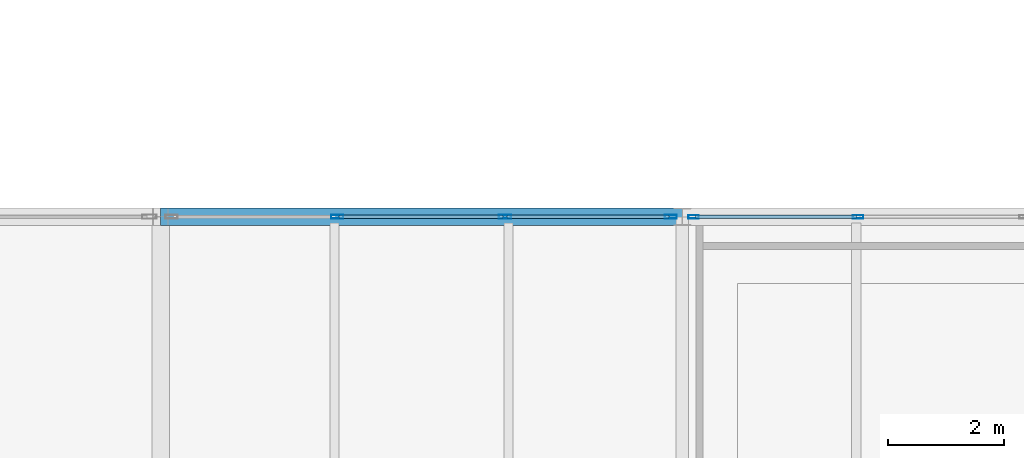
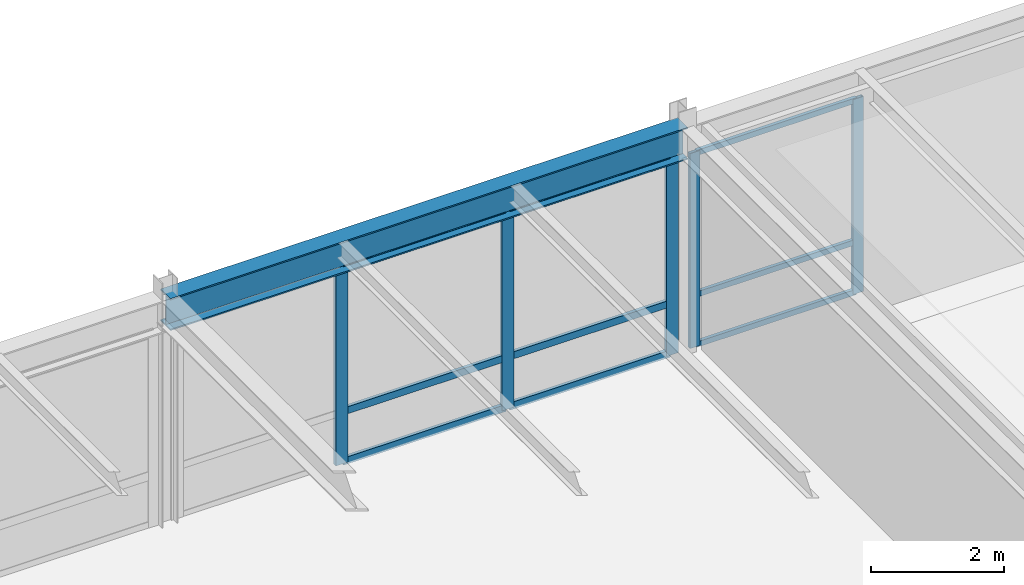
# One storey, part 78 of 127: 14 members, 1 beam, 2 elements without a shape of their own.
"""IFC4 building model written with IfcOpenShell, lengths in metres."""

from ifc_helpers import new_model, si_unit, direction, frame, origin, origin_2d, place, context, subcontext, project, spatial, hollow_rectangle, i_section, extrude, material, layer, layer_set, material_profile, profile_set, type_object, element, aggregate, save


model = new_model("IFC4")

# Units and contexts
model_context = context("Model", 3, precision=1e-05, world=origin(), true_north=direction((0.0, 1.0)))
body_context = subcontext(model_context, "Body", "Model", "MODEL_VIEW")
ifc_project = project(units=[si_unit("LENGTHUNIT", "METRE"), si_unit("AREAUNIT", "SQUARE_METRE"), si_unit("VOLUMEUNIT", "CUBIC_METRE"), si_unit("PLANEANGLEUNIT", "RADIAN"), si_unit("MASSUNIT", "GRAM", prefix="KILO")], contexts=[model_context])

# Site, building, storey
site_placement = place(None, origin())
site = spatial("IfcSite", under=ifc_project, at=site_placement, CompositionType="ELEMENT")
building_placement = place(site_placement, origin())
building = spatial("IfcBuilding", under=site, at=building_placement, Name="Montelvaro Courts of Justice", CompositionType="ELEMENT")
storey_placement = place(building_placement, frame((0.0, 0.0, 5.39990234375)))
storey = spatial("IfcBuildingStorey", under=building, at=storey_placement, Name="L01", CompositionType="ELEMENT", Elevation=5.39990234375)

# Beam
ifc_material_1 = material(Name="Steel S355", Category="steel")
ifc_material_profile_1 = material_profile(ifc_material_1, i_section(OverallWidth=0.300048828125, OverallDepth=0.590087890625, WebThickness=0.012939453125, FlangeThickness=0.02490234375, at=origin_2d()), Name="HEA 600")
ifc_profile_set_1 = profile_set([ifc_material_profile_1], Name="Steel S355")
beam_type = type_object("IfcBeamType", Name="Beam_HEA600", PredefinedType="USERDEFINED", material=ifc_profile_set_1)
beam_placement = place(storey_placement, frame((63.0, 108.0, 3.885009765625), z_axis=(1.0, 0.0, 0.0), x_axis=(0.0, 1.0, 0.0)))
element("IfcBeam", 1, at=beam_placement, inside=storey, type_object=beam_type, Name="Beam B-21 L01", ObjectType="GIRDER", PredefinedType="USERDEFINED", context=body_context, shape_type="SweptSolid", body=[
    extrude(i_section(OverallWidth=0.300048828125, OverallDepth=0.590087890625, WebThickness=0.012939453125, FlangeThickness=0.02490234375, at=origin_2d()), origin(), (0.0, 0.0, 1.0), 9.0),
])

# Curtain wall, members
ifc_material_2 = material(Name="Anodised aluminium EN AW-6063", Category="aluminium")
ifc_layer_1 = layer(ifc_material_2, 0.159912109375)
ifc_layer_set_1 = layer_set([ifc_layer_1], Name="Anodised aluminium EN AW-6063")
curtain_wall_type_1 = type_object("IfcCurtainWallType", Name="CurtainWall_17_861x418", PredefinedType="USERDEFINED", material=ifc_layer_set_1)
curtain_wall_1_placement = place(storey_placement, origin())
curtain_wall_1 = element("IfcCurtainWall", 2, at=curtain_wall_1_placement, inside=storey, type_object=curtain_wall_type_1, Name="Curtain Wall CW-17 (L01)", ObjectType="CURTAIN WALL", PredefinedType="USERDEFINED")
ifc_material_profile_2 = material_profile(ifc_material_2, hollow_rectangle(XDim=0.06005859375, YDim=0.179931640625, WallThickness=0.00439453125, at=origin_2d()), Name="ALU-M 60x180")
ifc_profile_set_2 = profile_set([ifc_material_profile_2], Name="Anodised aluminium EN AW-6063")
member_type_1 = type_object("IfcMemberType", Name="CurtainWall_Mullion_60x180", PredefinedType="MULLION", material=ifc_profile_set_2)
member_1_placement = place(storey_placement, frame((75.034423828125, 108.0, 0.0), z_axis=(0.0, 0.0, 1.0), x_axis=(0.0, -1.0, 0.0)))
member_1 = element("IfcMember", 3, at=member_1_placement, type_object=member_type_1, Name="CW-17 mullion 3", PredefinedType="MULLION", context=body_context, shape_type="SweptSolid", body=[
    extrude(hollow_rectangle(XDim=0.06005859375, YDim=0.179931640625, WallThickness=0.00439453125, at=origin_2d()), origin(), (0.0, 0.0, 1.0), 3.585205078125),
])
member_2_placement = place(storey_placement, frame((72.195068359375, 108.0, 0.0), z_axis=(0.0, 0.0, 1.0), x_axis=(0.0, -1.0, 0.0)))
member_2 = element("IfcMember", 4, at=member_2_placement, type_object=member_type_1, Name="CW-17 mullion 4", PredefinedType="MULLION", context=body_context, shape_type="SweptSolid", body=[
    extrude(hollow_rectangle(XDim=0.06005859375, YDim=0.179931640625, WallThickness=0.00439453125, at=origin_2d()), origin(), (0.0, 0.0, 1.0), 3.585205078125),
])

ifc_layer_2 = layer(ifc_material_2, 0.159912109375)
ifc_layer_set_2 = layer_set([ifc_layer_2], Name="Anodised aluminium EN AW-6063")
curtain_wall_type_2 = type_object("IfcCurtainWallType", Name="CurtainWall_18_868x418", PredefinedType="USERDEFINED", material=ifc_layer_set_2)
curtain_wall_2_placement = place(storey_placement, origin())
curtain_wall_2 = element("IfcCurtainWall", 5, at=curtain_wall_2_placement, inside=storey, type_object=curtain_wall_type_2, Name="Curtain Wall CW-18 (L01)", ObjectType="CURTAIN WALL", PredefinedType="USERDEFINED")
ifc_material_profile_3 = material_profile(ifc_material_2, hollow_rectangle(XDim=0.06494140625, YDim=0.2099609375, WallThickness=0.0048828125, at=origin_2d()), Name="ALU-M 65x210")
ifc_profile_set_3 = profile_set([ifc_material_profile_3], Name="Anodised aluminium EN AW-6063")
member_type_2 = type_object("IfcMemberType", Name="CurtainWall_Mullion_65x210", PredefinedType="MULLION", material=ifc_profile_set_3)
member_3_placement = place(storey_placement, frame((71.802490234375, 108.0, 0.0), z_axis=(0.0, 0.0, 1.0), x_axis=(0.0, -1.0, 0.0)))
member_3 = element("IfcMember", 6, at=member_3_placement, type_object=member_type_2, Name="CW-18 mullion 1", PredefinedType="MULLION", context=body_context, shape_type="SweptSolid", body=[
    extrude(hollow_rectangle(XDim=0.06494140625, YDim=0.2099609375, WallThickness=0.0048828125, at=origin_2d()), origin(), (0.0, 0.0, 1.0), 3.585205078125),
])
member_4_placement = place(storey_placement, frame((68.941650390625, 108.0, 0.0), z_axis=(0.0, 0.0, 1.0), x_axis=(0.0, -1.0, 0.0)))
member_4 = element("IfcMember", 7, at=member_4_placement, type_object=member_type_2, Name="CW-18 mullion 2", PredefinedType="MULLION", context=body_context, shape_type="SweptSolid", body=[
    extrude(hollow_rectangle(XDim=0.06494140625, YDim=0.2099609375, WallThickness=0.0048828125, at=origin_2d()), origin(), (0.0, 0.0, 1.0), 3.585205078125),
])
member_5_placement = place(storey_placement, frame((66.04833984375, 108.0, 0.0), z_axis=(0.0, 0.0, 1.0), x_axis=(0.0, -1.0, 0.0)))
member_5 = element("IfcMember", 8, at=member_5_placement, type_object=member_type_2, Name="CW-18 mullion 3", PredefinedType="MULLION", context=body_context, shape_type="SweptSolid", body=[
    extrude(hollow_rectangle(XDim=0.06494140625, YDim=0.2099609375, WallThickness=0.0048828125, at=origin_2d()), origin(), (0.0, 0.0, 1.0), 3.585205078125),
])

# Member
ifc_material_profile_4 = material_profile(ifc_material_2, hollow_rectangle(XDim=0.06005859375, YDim=0.10009765625, WallThickness=0.00341796875, at=origin_2d()), Name="ALU-T 60x100")
ifc_profile_set_4 = profile_set([ifc_material_profile_4], Name="Anodised aluminium EN AW-6063")
member_type_3 = type_object("IfcMemberType", Name="CurtainWall_Transom_60x100", PredefinedType="USERDEFINED", material=ifc_profile_set_4)
member_6_placement = place(storey_placement, frame((75.00439453125, 108.0, 0.030029296875), z_axis=(-1.0, 0.0, 0.0), x_axis=(0.0, -1.0, 0.0)))
member_6 = element("IfcMember", 9, at=member_6_placement, type_object=member_type_3, Name="CW-17 transom 3.1", ObjectType="TRANSOM", PredefinedType="USERDEFINED", context=body_context, shape_type="SweptSolid", body=[
    extrude(hollow_rectangle(XDim=0.06005859375, YDim=0.10009765625, WallThickness=0.00341796875, at=origin_2d()), origin(), (0.0, 0.0, 1.0), 2.779296875),
])

member_7_placement = place(storey_placement, frame((75.00439453125, 108.0, 0.9501953125), z_axis=(-1.0, 0.0, 0.0), x_axis=(0.0, -1.0, 0.0)))
member_7 = element("IfcMember", 10, at=member_7_placement, type_object=member_type_3, Name="CW-17 transom 3.2", ObjectType="TRANSOM", PredefinedType="USERDEFINED", context=body_context, shape_type="SweptSolid", body=[
    extrude(hollow_rectangle(XDim=0.06005859375, YDim=0.10009765625, WallThickness=0.00341796875, at=origin_2d()), origin(), (0.0, 0.0, 1.0), 2.779296875),
])

member_8_placement = place(storey_placement, frame((75.00439453125, 108.0, 3.55517578125), z_axis=(-1.0, 0.0, 0.0), x_axis=(0.0, -1.0, 0.0)))
member_8 = element("IfcMember", 11, at=member_8_placement, type_object=member_type_3, Name="CW-17 transom 3.3", ObjectType="TRANSOM", PredefinedType="USERDEFINED", context=body_context, shape_type="SweptSolid", body=[
    extrude(hollow_rectangle(XDim=0.06005859375, YDim=0.10009765625, WallThickness=0.00341796875, at=origin_2d()), origin(), (0.0, 0.0, 1.0), 2.779296875),
])

aggregate(curtain_wall_1, [member_1, member_2, member_6, member_7, member_8])

ifc_material_profile_5 = material_profile(ifc_material_2, hollow_rectangle(XDim=0.06005859375, YDim=0.1298828125, WallThickness=0.00390625, at=origin_2d()), Name="ALU-T 60x130")
ifc_profile_set_5 = profile_set([ifc_material_profile_5], Name="Anodised aluminium EN AW-6063")
member_type_4 = type_object("IfcMemberType", Name="CurtainWall_Transom_60x130", PredefinedType="USERDEFINED", material=ifc_profile_set_5)
member_9_placement = place(storey_placement, frame((71.77001953125, 108.0, 0.030029296875), z_axis=(-1.0, 0.0, 0.0), x_axis=(0.0, -1.0, 0.0)))
member_9 = element("IfcMember", 12, at=member_9_placement, type_object=member_type_4, Name="CW-18 transom 1.1", ObjectType="TRANSOM", PredefinedType="USERDEFINED", context=body_context, shape_type="SweptSolid", body=[
    extrude(hollow_rectangle(XDim=0.06005859375, YDim=0.1298828125, WallThickness=0.00390625, at=origin_2d()), origin(), (0.0, 0.0, 1.0), 2.7958984375),
])

member_10_placement = place(storey_placement, frame((71.77001953125, 108.0, 0.9501953125), z_axis=(-1.0, 0.0, 0.0), x_axis=(0.0, -1.0, 0.0)))
member_10 = element("IfcMember", 13, at=member_10_placement, type_object=member_type_4, Name="CW-18 transom 1.2", ObjectType="TRANSOM", PredefinedType="USERDEFINED", context=body_context, shape_type="SweptSolid", body=[
    extrude(hollow_rectangle(XDim=0.06005859375, YDim=0.1298828125, WallThickness=0.00390625, at=origin_2d()), origin(), (0.0, 0.0, 1.0), 2.7958984375),
])

member_11_placement = place(storey_placement, frame((71.77001953125, 108.0, 3.55517578125), z_axis=(-1.0, 0.0, 0.0), x_axis=(0.0, -1.0, 0.0)))
member_11 = element("IfcMember", 14, at=member_11_placement, type_object=member_type_4, Name="CW-18 transom 1.3", ObjectType="TRANSOM", PredefinedType="USERDEFINED", context=body_context, shape_type="SweptSolid", body=[
    extrude(hollow_rectangle(XDim=0.06005859375, YDim=0.1298828125, WallThickness=0.00390625, at=origin_2d()), origin(), (0.0, 0.0, 1.0), 2.7958984375),
])

member_12_placement = place(storey_placement, frame((68.9091796875, 108.0, 0.030029296875), z_axis=(-1.0, 0.0, 0.0), x_axis=(0.0, -1.0, 0.0)))
member_12 = element("IfcMember", 15, at=member_12_placement, type_object=member_type_4, Name="CW-18 transom 2.1", ObjectType="TRANSOM", PredefinedType="USERDEFINED", context=body_context, shape_type="SweptSolid", body=[
    extrude(hollow_rectangle(XDim=0.06005859375, YDim=0.1298828125, WallThickness=0.00390625, at=origin_2d()), origin(), (0.0, 0.0, 1.0), 2.828369140625),
])

member_13_placement = place(storey_placement, frame((68.9091796875, 108.0, 0.9501953125), z_axis=(-1.0, 0.0, 0.0), x_axis=(0.0, -1.0, 0.0)))
member_13 = element("IfcMember", 16, at=member_13_placement, type_object=member_type_4, Name="CW-18 transom 2.2", ObjectType="TRANSOM", PredefinedType="USERDEFINED", context=body_context, shape_type="SweptSolid", body=[
    extrude(hollow_rectangle(XDim=0.06005859375, YDim=0.1298828125, WallThickness=0.00390625, at=origin_2d()), origin(), (0.0, 0.0, 1.0), 2.828369140625),
])

member_14_placement = place(storey_placement, frame((68.9091796875, 108.0, 3.55517578125), z_axis=(-1.0, 0.0, 0.0), x_axis=(0.0, -1.0, 0.0)))
member_14 = element("IfcMember", 17, at=member_14_placement, type_object=member_type_4, Name="CW-18 transom 2.3", ObjectType="TRANSOM", PredefinedType="USERDEFINED", context=body_context, shape_type="SweptSolid", body=[
    extrude(hollow_rectangle(XDim=0.06005859375, YDim=0.1298828125, WallThickness=0.00390625, at=origin_2d()), origin(), (0.0, 0.0, 1.0), 2.828369140625),
])

aggregate(curtain_wall_2, [member_3, member_4, member_5, member_9, member_10, member_11, member_12, member_13, member_14])

save(model, "model.ifc")
